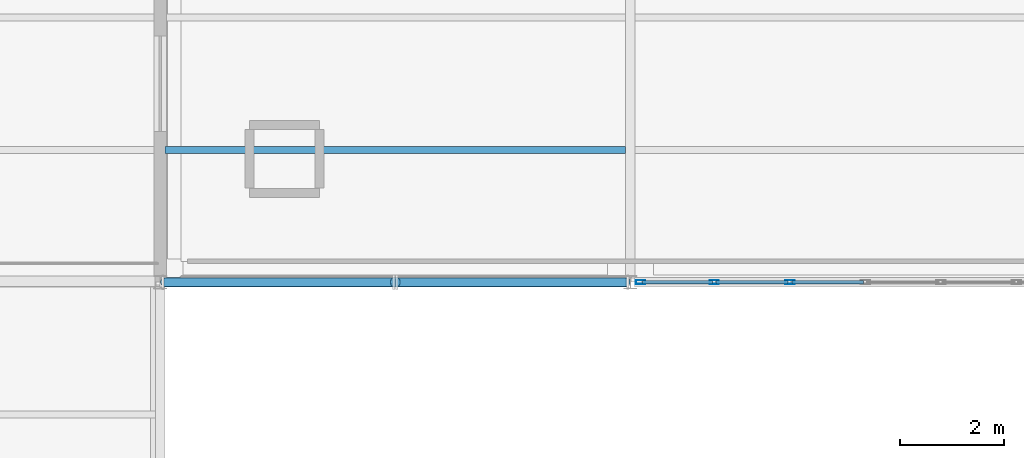
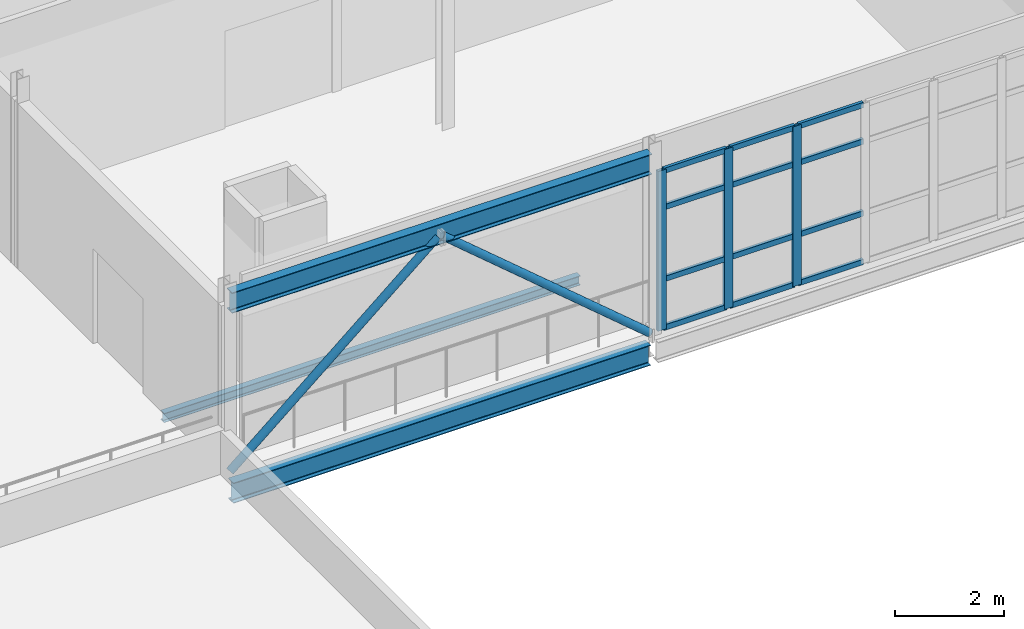
# One storey, part 32 of 96: 17 members, 3 beams, 1 element without a shape of its own.
"""IFC4 building model written with IfcOpenShell, lengths in metres."""

from ifc_helpers import new_model, si_unit, direction, frame, origin, origin_2d, place, context, subcontext, project, spatial, hollow_rectangle, hollow_circle, i_section, extrude, material, material_profile, profile_set, type_object, element, aggregate, save


model = new_model("IFC4")

# Units and contexts
model_context = context("Model", 3, precision=1e-05, world=origin(), true_north=direction((0.0, 1.0)))
body_context = subcontext(model_context, "Body", "Model", "MODEL_VIEW")
ifc_project = project(units=[si_unit("LENGTHUNIT", "METRE"), si_unit("AREAUNIT", "SQUARE_METRE"), si_unit("VOLUMEUNIT", "CUBIC_METRE"), si_unit("PLANEANGLEUNIT", "RADIAN"), si_unit("MASSUNIT", "GRAM", prefix="KILO")], contexts=[model_context])

# Site, building, storey
site_placement = place(None, origin())
site = spatial("IfcSite", under=ifc_project, at=site_placement, CompositionType="ELEMENT")
building_placement = place(site_placement, origin())
building = spatial("IfcBuilding", under=site, at=building_placement, Name="Caisbarro Railhouse Central Library", CompositionType="ELEMENT")
storey_placement = place(building_placement, frame((0.0, 0.0, 13.679931640625)))
storey = spatial("IfcBuildingStorey", under=building, at=storey_placement, Name="L03", CompositionType="ELEMENT", Elevation=13.679931640625)

# Beams
ifc_material_1 = material(Name="Steel ASTM A572 Grade 50", Category="steel")
ifc_material_profile_1 = material_profile(ifc_material_1, i_section(OverallWidth=0.133056640625, OverallDepth=0.20703125, WebThickness=0.005859375, FlangeThickness=0.00830078125, FilletRadius=0.010009765625, at=origin_2d()), Name="W200X26.6")
ifc_profile_set_1 = profile_set([ifc_material_profile_1], Name="Steel ASTM A572 Grade 50")
beam_type_1 = type_object("IfcBeamType", Name="BM-J07", PredefinedType="JOIST", material=ifc_profile_set_1)
beam_1_placement = place(storey_placement, frame((63.089111328125, 86.13330078125, -0.303466796875), z_axis=(1.0, 0.0, 0.0), x_axis=(0.0, 1.0, 0.0)))
element("IfcBeam", 1, at=beam_1_placement, inside=storey, type_object=beam_type_1, Name="J07 beam L03 #1993", PredefinedType="JOIST", context=body_context, shape_type="SweptSolid", body=[
    extrude(i_section(OverallWidth=0.133056640625, OverallDepth=0.20703125, WebThickness=0.005859375, FlangeThickness=0.00830078125, FilletRadius=0.010009765625, at=origin_2d()), origin(), (0.0, 0.0, 1.0), 8.82177734375),
])
ifc_material_profile_2 = material_profile(ifc_material_1, i_section(OverallWidth=0.18994140625, OverallDepth=0.45703125, WebThickness=0.009033203125, FlangeThickness=0.014404296875, FilletRadius=0.01806640625, at=origin_2d()), Name="W460X74.0")
ifc_profile_set_2 = profile_set([ifc_material_profile_2], Name="Steel ASTM A572 Grade 50")
beam_type_2 = type_object("IfcBeamType", Name="BM-SP01", PredefinedType="SPANDREL", material=ifc_profile_set_2)
beam_2_placement = place(storey_placement, frame((63.080078125, 83.60009765625, -0.428466796875), z_axis=(1.0, 0.0, 0.0), x_axis=(0.0, 1.0, 0.0)))
element("IfcBeam", 2, at=beam_2_placement, inside=storey, type_object=beam_type_2, Name="SP01 beam L03 #1966", PredefinedType="SPANDREL", context=body_context, shape_type="SweptSolid", body=[
    extrude(i_section(OverallWidth=0.18994140625, OverallDepth=0.45703125, WebThickness=0.009033203125, FlangeThickness=0.014404296875, FilletRadius=0.01806640625, at=origin_2d()), origin(), (0.0, 0.0, 1.0), 8.83984375),
])
beam_3_placement = place(storey_placement, frame((63.050048828125, 83.60009765625, 3.840087890625), z_axis=(1.0, 0.0, 0.0), x_axis=(0.0, 1.0, 0.0)))
element("IfcBeam", 3, at=beam_3_placement, inside=storey, type_object=beam_type_2, Name="SP01 braced bay eave cap beam V6 L03", PredefinedType="SPANDREL", context=body_context, shape_type="SweptSolid", body=[
    extrude(i_section(OverallWidth=0.18994140625, OverallDepth=0.45703125, WebThickness=0.009033203125, FlangeThickness=0.014404296875, FilletRadius=0.01806640625, at=origin_2d()), origin(), (0.0, 0.0, 1.0), 8.89990234375),
])

# Curtain wall, members
ifc_material_2 = material(Name="Anodised architectural aluminium", Category="aluminium")
curtain_wall_type = type_object("IfcCurtainWallType", Name="CW-CW02", PredefinedType="NOTDEFINED", material=ifc_material_2)
curtain_wall_placement = place(storey_placement, origin())
curtain_wall = element("IfcCurtainWall", 4, at=curtain_wall_placement, inside=storey, type_object=curtain_wall_type, Name="CW02 curtain wall L03 #188", PredefinedType="NOTDEFINED")
ifc_material_profile_3 = material_profile(ifc_material_2, hollow_rectangle(XDim=0.074951171875, YDim=0.179931640625, WallThickness=0.00439453125, at=origin_2d()), Name="ALU-MUL-75X180")
ifc_profile_set_3 = profile_set([ifc_material_profile_3], Name="Anodised architectural aluminium")
member_type_1 = type_object("IfcMemberType", Name="CWM-M01", PredefinedType="MULLION", material=ifc_profile_set_3)
member_1_placement = place(storey_placement, frame((72.197509765625, 83.60009765625, 0.0), z_axis=(0.0, 0.0, 1.0), x_axis=(0.0, 1.0, 0.0)))
member_1 = element("IfcMember", 5, at=member_1_placement, type_object=member_type_1, Name="CW02 mullion 1", PredefinedType="MULLION", context=body_context, shape_type="SweptSolid", body=[
    extrude(hollow_rectangle(XDim=0.074951171875, YDim=0.179931640625, WallThickness=0.00439453125, at=origin_2d()), origin(), (0.0, 0.0, 1.0), 3.580078125),
])
member_2_placement = place(storey_placement, frame((73.606689453125, 83.60009765625, 0.0), z_axis=(0.0, 0.0, 1.0), x_axis=(0.0, 1.0, 0.0)))
member_2 = element("IfcMember", 6, at=member_2_placement, type_object=member_type_1, Name="CW02 mullion 2", PredefinedType="MULLION", context=body_context, shape_type="SweptSolid", body=[
    extrude(hollow_rectangle(XDim=0.074951171875, YDim=0.179931640625, WallThickness=0.00439453125, at=origin_2d()), origin(), (0.0, 0.0, 1.0), 3.580078125),
])
member_3_placement = place(storey_placement, frame((75.05322265625, 83.60009765625, 0.0), z_axis=(0.0, 0.0, 1.0), x_axis=(0.0, 1.0, 0.0)))
member_3 = element("IfcMember", 7, at=member_3_placement, type_object=member_type_1, Name="CW02 mullion 3", PredefinedType="MULLION", context=body_context, shape_type="SweptSolid", body=[
    extrude(hollow_rectangle(XDim=0.074951171875, YDim=0.179931640625, WallThickness=0.00439453125, at=origin_2d()), origin(), (0.0, 0.0, 1.0), 3.580078125),
])
ifc_material_profile_4 = material_profile(ifc_material_2, hollow_rectangle(XDim=0.06494140625, YDim=0.1201171875, WallThickness=0.00341796875, at=origin_2d()), Name="ALU-TRN-65X120")
ifc_profile_set_4 = profile_set([ifc_material_profile_4], Name="Anodised architectural aluminium")
member_type_2 = type_object("IfcMemberType", Name="CWT-T02", PredefinedType="USERDEFINED", material=ifc_profile_set_4)
member_4_placement = place(storey_placement, frame((72.235107421875, 83.60009765625, 0.032470703125), z_axis=(1.0, 0.0, 0.0), x_axis=(0.0, 1.0, 0.0)))
member_4 = element("IfcMember", 8, at=member_4_placement, type_object=member_type_2, Name="CW02 transom 1.1", ObjectType="TRANSOM", PredefinedType="USERDEFINED", context=body_context, shape_type="SweptSolid", body=[
    extrude(hollow_rectangle(XDim=0.06494140625, YDim=0.1201171875, WallThickness=0.00341796875, at=origin_2d()), origin(), (0.0, 0.0, 1.0), 1.333984375),
])
member_5_placement = place(storey_placement, frame((72.235107421875, 83.60009765625, 1.1201171875), z_axis=(1.0, 0.0, 0.0), x_axis=(0.0, 1.0, 0.0)))
member_5 = element("IfcMember", 9, at=member_5_placement, type_object=member_type_2, Name="CW02 transom 1.2", ObjectType="TRANSOM", PredefinedType="USERDEFINED", context=body_context, shape_type="SweptSolid", body=[
    extrude(hollow_rectangle(XDim=0.06494140625, YDim=0.1201171875, WallThickness=0.00341796875, at=origin_2d()), origin(), (0.0, 0.0, 1.0), 1.333984375),
])
member_6_placement = place(storey_placement, frame((72.235107421875, 83.60009765625, 2.72998046875), z_axis=(1.0, 0.0, 0.0), x_axis=(0.0, 1.0, 0.0)))
member_6 = element("IfcMember", 10, at=member_6_placement, type_object=member_type_2, Name="CW02 transom 1.3", ObjectType="TRANSOM", PredefinedType="USERDEFINED", context=body_context, shape_type="SweptSolid", body=[
    extrude(hollow_rectangle(XDim=0.06494140625, YDim=0.1201171875, WallThickness=0.00341796875, at=origin_2d()), origin(), (0.0, 0.0, 1.0), 1.333984375),
])
member_7_placement = place(storey_placement, frame((72.235107421875, 83.60009765625, 3.547607421875), z_axis=(1.0, 0.0, 0.0), x_axis=(0.0, 1.0, 0.0)))
member_7 = element("IfcMember", 11, at=member_7_placement, type_object=member_type_2, Name="CW02 transom 1.4", ObjectType="TRANSOM", PredefinedType="USERDEFINED", context=body_context, shape_type="SweptSolid", body=[
    extrude(hollow_rectangle(XDim=0.06494140625, YDim=0.1201171875, WallThickness=0.00341796875, at=origin_2d()), origin(), (0.0, 0.0, 1.0), 1.333984375),
])
member_8_placement = place(storey_placement, frame((73.644287109375, 83.60009765625, 0.032470703125), z_axis=(1.0, 0.0, 0.0), x_axis=(0.0, 1.0, 0.0)))
member_8 = element("IfcMember", 12, at=member_8_placement, type_object=member_type_2, Name="CW02 transom 2.1", ObjectType="TRANSOM", PredefinedType="USERDEFINED", context=body_context, shape_type="SweptSolid", body=[
    extrude(hollow_rectangle(XDim=0.06494140625, YDim=0.1201171875, WallThickness=0.00341796875, at=origin_2d()), origin(), (0.0, 0.0, 1.0), 1.37158203125),
])
member_9_placement = place(storey_placement, frame((73.644287109375, 83.60009765625, 1.1201171875), z_axis=(1.0, 0.0, 0.0), x_axis=(0.0, 1.0, 0.0)))
member_9 = element("IfcMember", 13, at=member_9_placement, type_object=member_type_2, Name="CW02 transom 2.2", ObjectType="TRANSOM", PredefinedType="USERDEFINED", context=body_context, shape_type="SweptSolid", body=[
    extrude(hollow_rectangle(XDim=0.06494140625, YDim=0.1201171875, WallThickness=0.00341796875, at=origin_2d()), origin(), (0.0, 0.0, 1.0), 1.37158203125),
])
member_10_placement = place(storey_placement, frame((73.644287109375, 83.60009765625, 2.72998046875), z_axis=(1.0, 0.0, 0.0), x_axis=(0.0, 1.0, 0.0)))
member_10 = element("IfcMember", 14, at=member_10_placement, type_object=member_type_2, Name="CW02 transom 2.3", ObjectType="TRANSOM", PredefinedType="USERDEFINED", context=body_context, shape_type="SweptSolid", body=[
    extrude(hollow_rectangle(XDim=0.06494140625, YDim=0.1201171875, WallThickness=0.00341796875, at=origin_2d()), origin(), (0.0, 0.0, 1.0), 1.37158203125),
])
member_11_placement = place(storey_placement, frame((73.644287109375, 83.60009765625, 3.547607421875), z_axis=(1.0, 0.0, 0.0), x_axis=(0.0, 1.0, 0.0)))
member_11 = element("IfcMember", 15, at=member_11_placement, type_object=member_type_2, Name="CW02 transom 2.4", ObjectType="TRANSOM", PredefinedType="USERDEFINED", context=body_context, shape_type="SweptSolid", body=[
    extrude(hollow_rectangle(XDim=0.06494140625, YDim=0.1201171875, WallThickness=0.00341796875, at=origin_2d()), origin(), (0.0, 0.0, 1.0), 1.37158203125),
])
member_12_placement = place(storey_placement, frame((75.0908203125, 83.60009765625, 0.032470703125), z_axis=(1.0, 0.0, 0.0), x_axis=(0.0, 1.0, 0.0)))
member_12 = element("IfcMember", 16, at=member_12_placement, type_object=member_type_2, Name="CW02 transom 3.1", ObjectType="TRANSOM", PredefinedType="USERDEFINED", context=body_context, shape_type="SweptSolid", body=[
    extrude(hollow_rectangle(XDim=0.06494140625, YDim=0.1201171875, WallThickness=0.00341796875, at=origin_2d()), origin(), (0.0, 0.0, 1.0), 1.37158203125),
])
member_13_placement = place(storey_placement, frame((75.0908203125, 83.60009765625, 1.1201171875), z_axis=(1.0, 0.0, 0.0), x_axis=(0.0, 1.0, 0.0)))
member_13 = element("IfcMember", 17, at=member_13_placement, type_object=member_type_2, Name="CW02 transom 3.2", ObjectType="TRANSOM", PredefinedType="USERDEFINED", context=body_context, shape_type="SweptSolid", body=[
    extrude(hollow_rectangle(XDim=0.06494140625, YDim=0.1201171875, WallThickness=0.00341796875, at=origin_2d()), origin(), (0.0, 0.0, 1.0), 1.37158203125),
])
member_14_placement = place(storey_placement, frame((75.0908203125, 83.60009765625, 2.72998046875), z_axis=(1.0, 0.0, 0.0), x_axis=(0.0, 1.0, 0.0)))
member_14 = element("IfcMember", 18, at=member_14_placement, type_object=member_type_2, Name="CW02 transom 3.3", ObjectType="TRANSOM", PredefinedType="USERDEFINED", context=body_context, shape_type="SweptSolid", body=[
    extrude(hollow_rectangle(XDim=0.06494140625, YDim=0.1201171875, WallThickness=0.00341796875, at=origin_2d()), origin(), (0.0, 0.0, 1.0), 1.37158203125),
])
member_15_placement = place(storey_placement, frame((75.0908203125, 83.60009765625, 3.547607421875), z_axis=(1.0, 0.0, 0.0), x_axis=(0.0, 1.0, 0.0)))
member_15 = element("IfcMember", 19, at=member_15_placement, type_object=member_type_2, Name="CW02 transom 3.4", ObjectType="TRANSOM", PredefinedType="USERDEFINED", context=body_context, shape_type="SweptSolid", body=[
    extrude(hollow_rectangle(XDim=0.06494140625, YDim=0.1201171875, WallThickness=0.00341796875, at=origin_2d()), origin(), (0.0, 0.0, 1.0), 1.37158203125),
])
aggregate(curtain_wall, [member_1, member_2, member_3, member_4, member_5, member_6, member_7, member_8, member_9, member_10, member_11, member_12, member_13, member_14, member_15])

# Members
ifc_material_profile_5 = material_profile(ifc_material_1, hollow_circle(Radius=0.084228515625, WallThickness=0.008056640625, at=origin_2d()), Name="CHS168.3X8")
ifc_profile_set_5 = profile_set([ifc_material_profile_5], Name="Steel ASTM A572 Grade 50")
member_type_3 = type_object("IfcMemberType", Name="MEM-BR04", PredefinedType="BRACE", material=ifc_profile_set_5)
for number, where, z_axis, x_axis, name in (
    (20, (63.06005859375, 83.60009765625, 0.02001953125), (0.76364499123, 0.0, 0.645636373952), (0.0, 1.0, 0.0), "BR04 chevron brace X63-N L03.1"),
    (21, (71.93994140625, 83.60009765625, 0.02001953125), (-0.76364499123, 0.0, 0.645636373952), (0.0, -1.0, 0.0), "BR04 chevron brace X63-N L03.2"),
):
    element("IfcMember", number, at=place(storey_placement, frame(where, z_axis=z_axis, x_axis=x_axis)), inside=storey, type_object=member_type_3, Name=name, PredefinedType="BRACE", context=body_context, shape_type="SweptSolid", body=[
        extrude(hollow_circle(Radius=0.084228515625, WallThickness=0.008056640625, at=origin_2d()), origin(), (0.0, 0.0, 1.0), 5.76171875),
    ])

save(model, "model.ifc")
